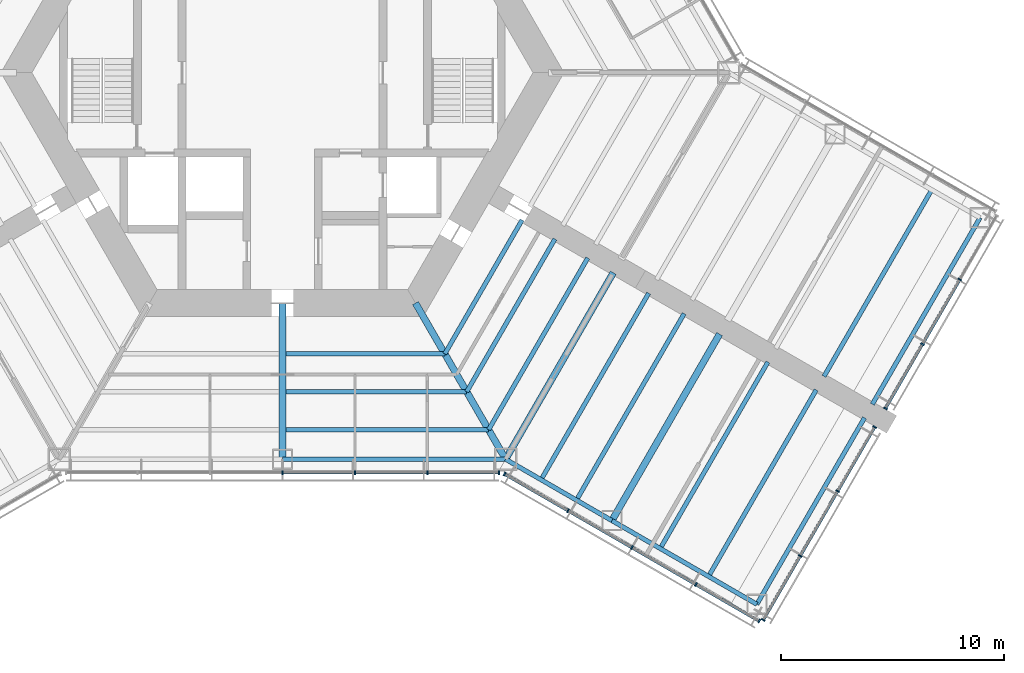
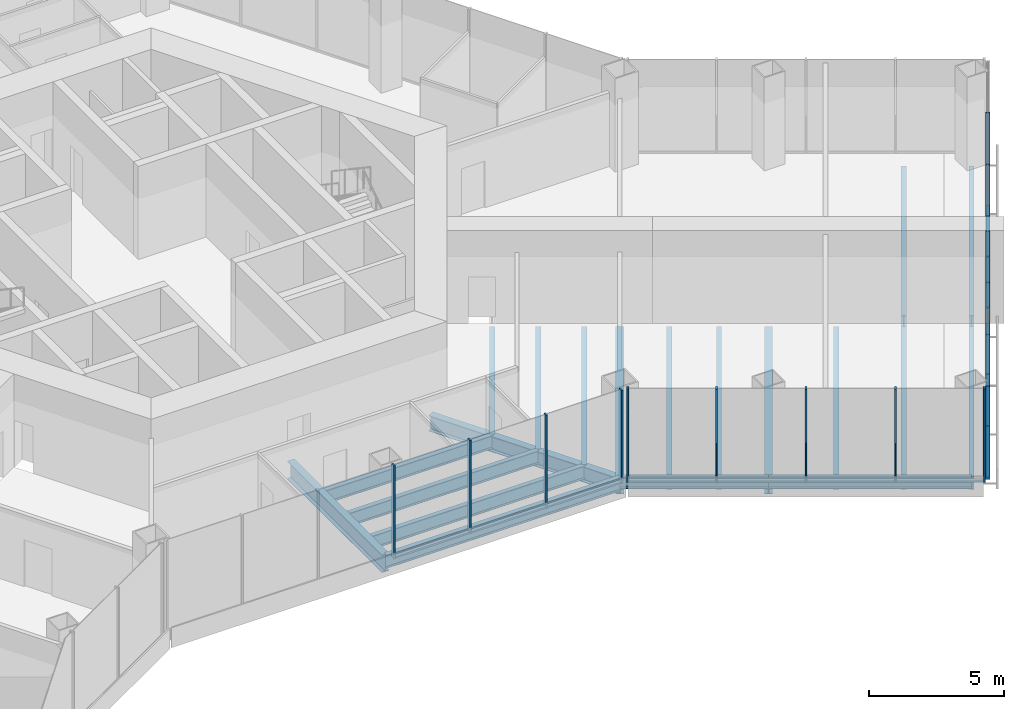
# One storey, part 4 of 16: 28 members, 20 beams, 4 elements without a shape of their own.
"""IFC4 building model written with IfcOpenShell, lengths in metres."""

from ifc_helpers import new_model, si_unit, direction, frame, origin, origin_2d, place, context, subcontext, project, spatial, rectangle, i_section, extrude, material, material_profile, profile_set, type_object, element, aggregate, save


model = new_model("IFC4")

# Units and contexts
model_context = context("Model", 3, precision=1e-05, world=origin(), true_north=direction((0.0, 1.0)))
body_context = subcontext(model_context, "Body", "Model", "MODEL_VIEW")
ifc_project = project(units=[si_unit("LENGTHUNIT", "METRE"), si_unit("AREAUNIT", "SQUARE_METRE"), si_unit("VOLUMEUNIT", "CUBIC_METRE"), si_unit("PLANEANGLEUNIT", "RADIAN"), si_unit("MASSUNIT", "GRAM", prefix="KILO")], contexts=[model_context])

# Site, building, storey
site_placement = place(None, origin())
site = spatial("IfcSite", under=ifc_project, at=site_placement, CompositionType="ELEMENT")
building_placement = place(site_placement, origin())
building = spatial("IfcBuilding", under=site, at=building_placement, Name="Kasaneha Research Tower", CompositionType="ELEMENT")
storey_placement = place(building_placement, frame((0.0, 0.0, 26.800048828125)))
storey = spatial("IfcBuildingStorey", under=building, at=storey_placement, Name="L07", CompositionType="ELEMENT", Elevation=26.800048828125)

# Beams
ifc_material_1 = material(Name="Steel SN490B", Category="steel")
ifc_material_profile_1 = material_profile(ifc_material_1, i_section(OverallWidth=0.199951171875, OverallDepth=0.60009765625, WebThickness=0.010986328125, FlangeThickness=0.01708984375, FilletRadius=0.012939453125, at=origin_2d()), Name="H-600x200x11x17")
ifc_profile_set_1 = profile_set([ifc_material_profile_1], Name="Steel SN490B")
beam_type_1 = type_object("IfcBeamType", Name="B1-1 secondary beam H-600x200x11x17", PredefinedType="JOIST", material=ifc_profile_set_1)
beam_1_placement = place(storey_placement, frame((7.274658203125, -12.60009765625, -0.5), z_axis=(-1.0, 0.0, 0.0), x_axis=(0.0, -1.0, 0.0)))
element("IfcBeam", 1, at=beam_1_placement, inside=storey, type_object=beam_type_1, Name="Secondary beam RS270R1 L07", PredefinedType="JOIST", context=body_context, shape_type="SweptSolid", body=[
    extrude(i_section(OverallWidth=0.199951171875, OverallDepth=0.60009765625, WebThickness=0.010986328125, FlangeThickness=0.01708984375, FilletRadius=0.012939453125, at=origin_2d()), origin(), (0.0, 0.0, 1.0), 7.124755859375),
])
beam_2_placement = place(storey_placement, frame((8.256103515625, -14.300048828125, -0.5), z_axis=(-1.0, 0.0, 0.0), x_axis=(0.0, -1.0, 0.0)))
element("IfcBeam", 2, at=beam_2_placement, inside=storey, type_object=beam_type_1, Name="Secondary beam RS270R2 L07", PredefinedType="JOIST", context=body_context, shape_type="SweptSolid", body=[
    extrude(i_section(OverallWidth=0.199951171875, OverallDepth=0.60009765625, WebThickness=0.010986328125, FlangeThickness=0.01708984375, FilletRadius=0.012939453125, at=origin_2d()), origin(), (0.0, 0.0, 1.0), 8.106201171875),
])
beam_3_placement = place(storey_placement, frame((9.237548828125, -16.0, -0.5), z_axis=(-1.0, 0.0, 0.0), x_axis=(0.0, -1.0, 0.0)))
element("IfcBeam", 3, at=beam_3_placement, inside=storey, type_object=beam_type_1, Name="Secondary beam RS270R3 L07", PredefinedType="JOIST", context=body_context, shape_type="SweptSolid", body=[
    extrude(i_section(OverallWidth=0.199951171875, OverallDepth=0.60009765625, WebThickness=0.010986328125, FlangeThickness=0.01708984375, FilletRadius=0.012939453125, at=origin_2d()), origin(), (0.0, 0.0, 1.0), 9.087646484375),
])
beam_4_placement = place(storey_placement, frame((7.274658203125, -12.60009765625, -0.5), z_axis=(0.499972710878, 0.866041158593, 0.0), x_axis=(-0.866041158593, 0.499972710878, 0.0)))
element("IfcBeam", 4, at=beam_4_placement, inside=storey, type_object=beam_type_1, Name="Secondary beam RS330L1 L07", PredefinedType="JOIST", context=body_context, shape_type="SweptSolid", body=[
    extrude(i_section(OverallWidth=0.199951171875, OverallDepth=0.60009765625, WebThickness=0.010986328125, FlangeThickness=0.01708984375, FilletRadius=0.012939453125, at=origin_2d()), origin(), (0.0, 0.0, 1.0), 6.9248046875),
])
beam_5_placement = place(storey_placement, frame((8.256103515625, -14.300048828125, -0.5), z_axis=(0.500004902938, 0.866022573054, 0.0), x_axis=(-0.866022573054, 0.500004902938, 0.0)))
element("IfcBeam", 5, at=beam_5_placement, inside=storey, type_object=beam_type_1, Name="Secondary beam RS330L2 L07", PredefinedType="JOIST", context=body_context, shape_type="SweptSolid", body=[
    extrude(i_section(OverallWidth=0.199951171875, OverallDepth=0.60009765625, WebThickness=0.010986328125, FlangeThickness=0.01708984375, FilletRadius=0.012939453125, at=origin_2d()), origin(), (0.0, 0.0, 1.0), 7.90625),
])
beam_6_placement = place(storey_placement, frame((9.237548828125, -16.0, -0.5), z_axis=(0.500009382636, 0.866019986649, 0.0), x_axis=(-0.866019986649, 0.500009382636, 0.0)))
element("IfcBeam", 6, at=beam_6_placement, inside=storey, type_object=beam_type_1, Name="Secondary beam RS330L3 L07", PredefinedType="JOIST", context=body_context, shape_type="SweptSolid", body=[
    extrude(i_section(OverallWidth=0.199951171875, OverallDepth=0.60009765625, WebThickness=0.010986328125, FlangeThickness=0.01708984375, FilletRadius=0.012939453125, at=origin_2d()), origin(), (0.0, 0.0, 1.0), 8.887451171875),
])
ifc_material_2 = material(Name="Steel SN490B", Category="steel")
ifc_material_profile_2 = material_profile(ifc_material_2, i_section(OverallWidth=0.198974609375, OverallDepth=0.595947265625, WebThickness=0.010009765625, FlangeThickness=0.014892578125, FilletRadius=0.012939453125, at=origin_2d()), Name="H-596x199x10x15")
ifc_profile_set_2 = profile_set([ifc_material_profile_2], Name="Steel SN490B")
beam_type_2 = type_object("IfcBeamType", Name="B2-1 secondary beam H-596x199x10x15", PredefinedType="JOIST", material=ifc_profile_set_2)
for number, where, z_axis, x_axis, name in (
    (7, (11.587646484375, -18.237060546875, -0.498046875), (0.50000569793, 0.866022114058, 0.0), (-0.866022114058, 0.50000569793, 0.0), "Secondary beam WBCP1 L07"),
    (8, (13.175537109375, -19.15380859375, -0.498046875), (0.499994742786, 0.866028439017, 0.0), (-0.866028439017, 0.499994742786, 0.0), "Secondary beam WBCP2 L07"),
    (9, (16.92822265625, -21.320556640625, -0.498046875), (0.499994742786, 0.866028439017, 0.0), (-0.866028439017, 0.499994742786, 0.0), "Secondary beam WBCP3 L07"),
    (10, (19.09326171875, -22.570556640625, -0.498046875), (0.499994742786, 0.866028439017, 0.0), (-0.866028439017, 0.499994742786, 0.0), "Secondary beam WBCP4 L07"),
    (11, (29.09326171875, -5.25, -0.498046875), (-0.499994742786, -0.866028439017, 0.0), (0.866028439017, -0.499994742786, 0.0), "Secondary beam WBCN4 L07"),
):
    element("IfcBeam", number, at=place(storey_placement, frame(where, z_axis=z_axis, x_axis=x_axis)), inside=storey, type_object=beam_type_2, Name=name, PredefinedType="JOIST", context=body_context, shape_type="SweptSolid", body=[
        extrude(i_section(OverallWidth=0.198974609375, OverallDepth=0.595947265625, WebThickness=0.010009765625, FlangeThickness=0.014892578125, FilletRadius=0.012939453125, at=origin_2d()), origin(), (0.0, 0.0, 1.0), 9.64990234375),
    ])

# Curtain wall, members
ifc_material_3 = material(Name="Glass and aluminium", Category="aluminium")
curtain_wall_type = type_object("IfcCurtainWallType", Name="Wet laboratory curtain wall", PredefinedType="USERDEFINED", material=ifc_material_3)
curtain_wall_1_placement = place(storey_placement, origin())
curtain_wall_1 = element("IfcCurtainWall", 12, at=curtain_wall_1_placement, inside=storey, type_object=curtain_wall_type, Name="CW-L1 L07 run 02a", ObjectType="UNITISED CURTAIN WALL", PredefinedType="USERDEFINED")
ifc_material_4 = material(Name="Aluminium 6063-T6", Category="aluminium")
ifc_material_profile_3 = material_profile(ifc_material_4, rectangle(XDim=0.06494140625, YDim=0.179931640625, at=origin_2d()), Name="CW-L1 mullion 65x180")
ifc_profile_set_3 = profile_set([ifc_material_profile_3], Name="Aluminium 6063-T6")
member_type_1 = type_object("IfcMemberType", Name="CW-L1 mullion", PredefinedType="MULLION", material=ifc_profile_set_3)
member_1_placement = place(storey_placement, frame((0.0, -17.92041015625, 0.0), z_axis=(0.0, 0.0, 1.0), x_axis=(1.0, 0.0, 0.0)))
member_1 = element("IfcMember", 13, at=member_1_placement, type_object=member_type_1, Name="CW-L1 mullion 4", PredefinedType="MULLION", context=body_context, shape_type="SweptSolid", body=[
    extrude(rectangle(XDim=0.06494140625, YDim=0.179931640625, at=origin_2d()), origin(), (0.0, 0.0, 1.0), 4.199951171875),
])
member_2_placement = place(storey_placement, frame((3.246337890625, -17.92041015625, 0.0), z_axis=(0.0, 0.0, 1.0), x_axis=(1.0, 0.0, 0.0)))
member_2 = element("IfcMember", 14, at=member_2_placement, type_object=member_type_1, Name="CW-L1 mullion 5", PredefinedType="MULLION", context=body_context, shape_type="SweptSolid", body=[
    extrude(rectangle(XDim=0.06494140625, YDim=0.179931640625, at=origin_2d()), origin(), (0.0, 0.0, 1.0), 4.199951171875),
])
member_3_placement = place(storey_placement, frame((6.492919921875, -17.92041015625, 0.0), z_axis=(0.0, 0.0, 1.0), x_axis=(1.0, 0.0, 0.0)))
member_3 = element("IfcMember", 15, at=member_3_placement, type_object=member_type_1, Name="CW-L1 mullion 6", PredefinedType="MULLION", context=body_context, shape_type="SweptSolid", body=[
    extrude(rectangle(XDim=0.06494140625, YDim=0.179931640625, at=origin_2d()), origin(), (0.0, 0.0, 1.0), 4.199951171875),
])
member_4_placement = place(storey_placement, frame((9.706787109375, -17.92041015625, 0.0), z_axis=(0.0, 0.0, 1.0), x_axis=(1.0, 0.0, 0.0)))
member_4 = element("IfcMember", 16, at=member_4_placement, type_object=member_type_1, Name="CW-L1 mullion 7", PredefinedType="MULLION", context=body_context, shape_type="SweptSolid", body=[
    extrude(rectangle(XDim=0.06494140625, YDim=0.179931640625, at=origin_2d()), origin(), (0.0, 0.0, 1.0), 4.199951171875),
])

curtain_wall_2_placement = place(storey_placement, origin())
curtain_wall_2 = element("IfcCurtainWall", 17, at=curtain_wall_2_placement, inside=storey, type_object=curtain_wall_type, Name="CW-L1 L07 run 03a", ObjectType="UNITISED CURTAIN WALL", PredefinedType="USERDEFINED")
member_5_placement = place(storey_placement, frame((9.953857421875, -17.98681640625, 0.0), z_axis=(0.0, 0.0, 1.0), x_axis=(0.866025411464, -0.499999986699, 0.0)))
member_5 = element("IfcMember", 18, at=member_5_placement, type_object=member_type_1, Name="CW-L1 mullion 1", PredefinedType="MULLION", context=body_context, shape_type="SweptSolid", body=[
    extrude(rectangle(XDim=0.06494140625, YDim=0.179931640625, at=origin_2d()), origin(), (0.0, 0.0, 1.0), 4.199951171875),
])
member_6_placement = place(storey_placement, frame((12.792236328125, -19.62548828125, 0.0), z_axis=(0.0, 0.0, 1.0), x_axis=(0.866025411464, -0.499999986699, 0.0)))
member_6 = element("IfcMember", 19, at=member_6_placement, type_object=member_type_1, Name="CW-L1 mullion 2", PredefinedType="MULLION", context=body_context, shape_type="SweptSolid", body=[
    extrude(rectangle(XDim=0.06494140625, YDim=0.179931640625, at=origin_2d()), origin(), (0.0, 0.0, 1.0), 4.199951171875),
])
member_7_placement = place(storey_placement, frame((15.65869140625, -21.2802734375, 0.0), z_axis=(0.0, 0.0, 1.0), x_axis=(0.866025411464, -0.499999986699, 0.0)))
member_7 = element("IfcMember", 20, at=member_7_placement, type_object=member_type_1, Name="CW-L1 mullion 3", PredefinedType="MULLION", context=body_context, shape_type="SweptSolid", body=[
    extrude(rectangle(XDim=0.06494140625, YDim=0.179931640625, at=origin_2d()), origin(), (0.0, 0.0, 1.0), 4.199951171875),
])
member_8_placement = place(storey_placement, frame((18.52490234375, -22.935302734375, 0.0), z_axis=(0.0, 0.0, 1.0), x_axis=(0.866025411464, -0.499999986699, 0.0)))
member_8 = element("IfcMember", 21, at=member_8_placement, type_object=member_type_1, Name="CW-L1 mullion 4", PredefinedType="MULLION", context=body_context, shape_type="SweptSolid", body=[
    extrude(rectangle(XDim=0.06494140625, YDim=0.179931640625, at=origin_2d()), origin(), (0.0, 0.0, 1.0), 4.199951171875),
])
member_9_placement = place(storey_placement, frame((21.36328125, -24.573974609375, 0.0), z_axis=(0.0, 0.0, 1.0), x_axis=(0.866025411464, -0.499999986699, 0.0)))
member_9 = element("IfcMember", 22, at=member_9_placement, type_object=member_type_1, Name="CW-L1 mullion 5", PredefinedType="MULLION", context=body_context, shape_type="SweptSolid", body=[
    extrude(rectangle(XDim=0.06494140625, YDim=0.179931640625, at=origin_2d()), origin(), (0.0, 0.0, 1.0), 4.199951171875),
])

curtain_wall_3_placement = place(storey_placement, origin())
curtain_wall_3 = element("IfcCurtainWall", 23, at=curtain_wall_3_placement, inside=storey, type_object=curtain_wall_type, Name="CW-L1 L07 run 04a", ObjectType="UNITISED CURTAIN WALL", PredefinedType="USERDEFINED")
member_10_placement = place(storey_placement, frame((21.544189453125, -24.525390625, 0.0), z_axis=(0.0, 0.0, 1.0), x_axis=(0.500000011442, 0.866025397178, 0.0)))
member_10 = element("IfcMember", 24, at=member_10_placement, type_object=member_type_1, Name="CW-L1 mullion 1", PredefinedType="MULLION", context=body_context, shape_type="SweptSolid", body=[
    extrude(rectangle(XDim=0.06494140625, YDim=0.179931640625, at=origin_2d()), origin(), (0.0, 0.0, 1.0), 4.199951171875),
])
member_11_placement = place(storey_placement, frame((23.202880859375, -21.65234375, 0.0), z_axis=(0.0, 0.0, 1.0), x_axis=(0.500000011442, 0.866025397178, 0.0)))
member_11 = element("IfcMember", 25, at=member_11_placement, type_object=member_type_1, Name="CW-L1 mullion 2", PredefinedType="MULLION", context=body_context, shape_type="SweptSolid", body=[
    extrude(rectangle(XDim=0.06494140625, YDim=0.179931640625, at=origin_2d()), origin(), (0.0, 0.0, 1.0), 4.199951171875),
])
member_12_placement = place(storey_placement, frame((24.8779296875, -18.751220703125, 0.0), z_axis=(0.0, 0.0, 1.0), x_axis=(0.500000011442, 0.866025397178, 0.0)))
member_12 = element("IfcMember", 26, at=member_12_placement, type_object=member_type_1, Name="CW-L1 mullion 3", PredefinedType="MULLION", context=body_context, shape_type="SweptSolid", body=[
    extrude(rectangle(XDim=0.06494140625, YDim=0.179931640625, at=origin_2d()), origin(), (0.0, 0.0, 1.0), 4.199951171875),
])
member_13_placement = place(storey_placement, frame((26.53662109375, -15.878173828125, 0.0), z_axis=(0.0, 0.0, 1.0), x_axis=(0.500000011442, 0.866025397178, 0.0)))
member_13 = element("IfcMember", 27, at=member_13_placement, type_object=member_type_1, Name="CW-L1 mullion 4", PredefinedType="MULLION", context=body_context, shape_type="SweptSolid", body=[
    extrude(rectangle(XDim=0.06494140625, YDim=0.179931640625, at=origin_2d()), origin(), (0.0, 0.0, 1.0), 4.199951171875),
])

curtain_wall_4_placement = place(storey_placement, origin())
curtain_wall_4 = element("IfcCurtainWall", 28, at=curtain_wall_4_placement, inside=storey, type_object=curtain_wall_type, Name="CW-L1 L07 run 05a", ObjectType="UNITISED CURTAIN WALL", PredefinedType="USERDEFINED")
member_14_placement = place(storey_placement, frame((27.019287109375, -15.04248046875, 0.0), z_axis=(0.0, 0.0, 1.0), x_axis=(0.500000011442, 0.866025397178, 0.0)))
member_14 = element("IfcMember", 29, at=member_14_placement, type_object=member_type_1, Name="CW-L1 mullion 1", PredefinedType="MULLION", context=body_context, shape_type="SweptSolid", body=[
    extrude(rectangle(XDim=0.06494140625, YDim=0.179931640625, at=origin_2d()), origin(), (0.0, 0.0, 1.0), 4.199951171875),
])
member_15_placement = place(storey_placement, frame((28.677978515625, -12.16943359375, 0.0), z_axis=(0.0, 0.0, 1.0), x_axis=(0.500000011442, 0.866025397178, 0.0)))
member_15 = element("IfcMember", 30, at=member_15_placement, type_object=member_type_1, Name="CW-L1 mullion 2", PredefinedType="MULLION", context=body_context, shape_type="SweptSolid", body=[
    extrude(rectangle(XDim=0.06494140625, YDim=0.179931640625, at=origin_2d()), origin(), (0.0, 0.0, 1.0), 4.199951171875),
])
member_16_placement = place(storey_placement, frame((30.35302734375, -9.26806640625, 0.0), z_axis=(0.0, 0.0, 1.0), x_axis=(0.500000011442, 0.866025397178, 0.0)))
member_16 = element("IfcMember", 31, at=member_16_placement, type_object=member_type_1, Name="CW-L1 mullion 3", PredefinedType="MULLION", context=body_context, shape_type="SweptSolid", body=[
    extrude(rectangle(XDim=0.06494140625, YDim=0.179931640625, at=origin_2d()), origin(), (0.0, 0.0, 1.0), 4.199951171875),
])

# Member
ifc_material_5 = material(Name="Aluminium 6063-T6", Category="aluminium")
ifc_material_profile_4 = material_profile(ifc_material_5, rectangle(XDim=0.139892578125, YDim=0.06494140625, at=origin_2d()), Name="CW-L1 transom 140x65")
ifc_profile_set_4 = profile_set([ifc_material_profile_4], Name="Aluminium 6063-T6")
member_type_2 = type_object("IfcMemberType", Name="CW-L1 transom", PredefinedType="USERDEFINED", material=ifc_profile_set_4)
member_17_placement = place(storey_placement, frame((0.032470703125, -17.92041015625, 0.032470703125), z_axis=(1.0, 0.0, 0.0), x_axis=(0.0, 1.0, 0.0)))
member_17 = element("IfcMember", 32, at=member_17_placement, type_object=member_type_2, Name="CW-L1 transom 4", ObjectType="TRANSOM", PredefinedType="USERDEFINED", context=body_context, shape_type="SweptSolid", body=[
    extrude(rectangle(XDim=0.139892578125, YDim=0.06494140625, at=origin_2d()), origin(), (0.0, 0.0, 1.0), 3.181396484375),
])

member_18_placement = place(storey_placement, frame((3.27880859375, -17.92041015625, 0.032470703125), z_axis=(1.0, 0.0, 0.0), x_axis=(0.0, 1.0, 0.0)))
member_18 = element("IfcMember", 33, at=member_18_placement, type_object=member_type_2, Name="CW-L1 transom 5", ObjectType="TRANSOM", PredefinedType="USERDEFINED", context=body_context, shape_type="SweptSolid", body=[
    extrude(rectangle(XDim=0.139892578125, YDim=0.06494140625, at=origin_2d()), origin(), (0.0, 0.0, 1.0), 3.181396484375),
])

member_19_placement = place(storey_placement, frame((6.525390625, -17.92041015625, 0.032470703125), z_axis=(1.0, 0.0, 0.0), x_axis=(0.0, 1.0, 0.0)))
member_19 = element("IfcMember", 34, at=member_19_placement, type_object=member_type_2, Name="CW-L1 transom 6", ObjectType="TRANSOM", PredefinedType="USERDEFINED", context=body_context, shape_type="SweptSolid", body=[
    extrude(rectangle(XDim=0.139892578125, YDim=0.06494140625, at=origin_2d()), origin(), (0.0, 0.0, 1.0), 3.14892578125),
])

aggregate(curtain_wall_1, [member_1, member_2, member_3, member_4, member_17, member_18, member_19])

member_20_placement = place(storey_placement, frame((9.982177734375, -18.0029296875, 0.032470703125), z_axis=(0.866022320763, -0.500005339912, 0.0), x_axis=(0.500005339912, 0.866022320763, 0.0)))
member_20 = element("IfcMember", 35, at=member_20_placement, type_object=member_type_2, Name="CW-L1 transom 1", ObjectType="TRANSOM", PredefinedType="USERDEFINED", context=body_context, shape_type="SweptSolid", body=[
    extrude(rectangle(XDim=0.139892578125, YDim=0.06494140625, at=origin_2d()), origin(), (0.0, 0.0, 1.0), 3.21240234375),
])

member_21_placement = place(storey_placement, frame((12.8203125, -19.6416015625, 0.032470703125), z_axis=(0.866002649306, -0.500039409842, 0.0), x_axis=(0.500039409842, 0.866002649306, 0.0)))
member_21 = element("IfcMember", 36, at=member_21_placement, type_object=member_type_2, Name="CW-L1 transom 2", ObjectType="TRANSOM", PredefinedType="USERDEFINED", context=body_context, shape_type="SweptSolid", body=[
    extrude(rectangle(XDim=0.139892578125, YDim=0.06494140625, at=origin_2d()), origin(), (0.0, 0.0, 1.0), 3.244873046875),
])

member_22_placement = place(storey_placement, frame((15.686767578125, -21.296630859375, 0.032470703125), z_axis=(0.866035229914, -0.499982980259, 0.0), x_axis=(0.499982980259, 0.866035229914, 0.0)))
member_22 = element("IfcMember", 37, at=member_22_placement, type_object=member_type_2, Name="CW-L1 transom 3", ObjectType="TRANSOM", PredefinedType="USERDEFINED", context=body_context, shape_type="SweptSolid", body=[
    extrude(rectangle(XDim=0.139892578125, YDim=0.06494140625, at=origin_2d()), origin(), (0.0, 0.0, 1.0), 3.24462890625),
])

member_23_placement = place(storey_placement, frame((18.55322265625, -22.951416015625, 0.032470703125), z_axis=(0.86600331843, -0.500038251005, 0.0), x_axis=(0.500038251005, 0.86600331843, 0.0)))
member_23 = element("IfcMember", 38, at=member_23_placement, type_object=member_type_2, Name="CW-L1 transom 4", ObjectType="TRANSOM", PredefinedType="USERDEFINED", context=body_context, shape_type="SweptSolid", body=[
    extrude(rectangle(XDim=0.139892578125, YDim=0.06494140625, at=origin_2d()), origin(), (0.0, 0.0, 1.0), 3.212158203125),
])

aggregate(curtain_wall_2, [member_5, member_6, member_7, member_8, member_9, member_20, member_21, member_22, member_23])

member_24_placement = place(storey_placement, frame((21.560546875, -24.497314453125, 0.032470703125), z_axis=(0.499973687205, 0.866040594951, 0.0), x_axis=(-0.866040594951, 0.499973687205, 0.0)))
member_24 = element("IfcMember", 39, at=member_24_placement, type_object=member_type_2, Name="CW-L1 transom 1", ObjectType="TRANSOM", PredefinedType="USERDEFINED", context=body_context, shape_type="SweptSolid", body=[
    extrude(rectangle(XDim=0.139892578125, YDim=0.06494140625, at=origin_2d()), origin(), (0.0, 0.0, 1.0), 3.252685546875),
])

member_25_placement = place(storey_placement, frame((23.21923828125, -21.624267578125, 0.032470703125), z_axis=(0.50000765355, 0.86602098496, 0.0), x_axis=(-0.86602098496, 0.50000765355, 0.0)))
member_25 = element("IfcMember", 40, at=member_25_placement, type_object=member_type_2, Name="CW-L1 transom 2", ObjectType="TRANSOM", PredefinedType="USERDEFINED", context=body_context, shape_type="SweptSolid", body=[
    extrude(rectangle(XDim=0.139892578125, YDim=0.06494140625, at=origin_2d()), origin(), (0.0, 0.0, 1.0), 3.28515625),
])

member_26_placement = place(storey_placement, frame((24.894287109375, -18.722900390625, 0.032470703125), z_axis=(0.500006189695, 0.866021830133, 0.0), x_axis=(-0.866021830133, 0.500006189695, 0.0)))
member_26 = element("IfcMember", 41, at=member_26_placement, type_object=member_type_2, Name="CW-L1 transom 3", ObjectType="TRANSOM", PredefinedType="USERDEFINED", context=body_context, shape_type="SweptSolid", body=[
    extrude(rectangle(XDim=0.139892578125, YDim=0.06494140625, at=origin_2d()), origin(), (0.0, 0.0, 1.0), 3.25244140625),
])

aggregate(curtain_wall_3, [member_10, member_11, member_12, member_13, member_24, member_25, member_26])

member_27_placement = place(storey_placement, frame((27.035400390625, -15.01416015625, 0.032470703125), z_axis=(0.500006189695, 0.866021830133, 0.0), x_axis=(-0.866021830133, 0.500006189695, 0.0)))
member_27 = element("IfcMember", 42, at=member_27_placement, type_object=member_type_2, Name="CW-L1 transom 1", ObjectType="TRANSOM", PredefinedType="USERDEFINED", context=body_context, shape_type="SweptSolid", body=[
    extrude(rectangle(XDim=0.139892578125, YDim=0.06494140625, at=origin_2d()), origin(), (0.0, 0.0, 1.0), 3.25244140625),
])

member_28_placement = place(storey_placement, frame((28.694091796875, -12.14111328125, 0.032470703125), z_axis=(0.500039835994, 0.866002403241, 0.0), x_axis=(-0.866002403241, 0.500039835994, 0.0)))
member_28 = element("IfcMember", 43, at=member_28_placement, type_object=member_type_2, Name="CW-L1 transom 2", ObjectType="TRANSOM", PredefinedType="USERDEFINED", context=body_context, shape_type="SweptSolid", body=[
    extrude(rectangle(XDim=0.139892578125, YDim=0.06494140625, at=origin_2d()), origin(), (0.0, 0.0, 1.0), 3.284912109375),
])

aggregate(curtain_wall_4, [member_14, member_15, member_16, member_27, member_28])

# Beams
ifc_material_6 = material(Name="Steel SN490B", Category="steel")
ifc_material_profile_5 = material_profile(ifc_material_6, i_section(OverallWidth=0.300048828125, OverallDepth=0.699951171875, WebThickness=0.012939453125, FlangeThickness=0.02392578125, FilletRadius=0.01806640625, at=origin_2d()), Name="H-700x300x13x24")
ifc_profile_set_5 = profile_set([ifc_material_profile_5], Name="Steel SN490B")
beam_type_3 = type_object("IfcBeamType", Name="G1-1 radial girder H-700x300x13x24", PredefinedType="BEAM", material=ifc_profile_set_5)
beam_7_placement = place(storey_placement, frame((5.961181640625, -10.324951171875, -0.550048828125), z_axis=(0.49999105496, -0.866030568144, 0.0), x_axis=(0.866030568144, 0.49999105496, 0.0)))
element("IfcBeam", 44, at=beam_7_placement, inside=storey, type_object=beam_type_3, Name="Radial girder RV300 L07", PredefinedType="BEAM", context=body_context, shape_type="SweptSolid", body=[
    extrude(i_section(OverallWidth=0.300048828125, OverallDepth=0.699951171875, WebThickness=0.012939453125, FlangeThickness=0.02392578125, FilletRadius=0.01806640625, at=origin_2d()), origin(), (0.0, 0.0, 1.0), 8.077880859375),
])
ifc_material_7 = material(Name="Steel SN490B", Category="steel")
ifc_material_profile_6 = material_profile(ifc_material_7, i_section(OverallWidth=0.300048828125, OverallDepth=0.800048828125, WebThickness=0.013916015625, FlangeThickness=0.02587890625, FilletRadius=0.01806640625, at=origin_2d()), Name="H-800x300x14x26")
ifc_profile_set_6 = profile_set([ifc_material_profile_6], Name="Steel SN490B")
beam_type_4 = type_object("IfcBeamType", Name="G2-1 radial girder H-800x300x14x26", PredefinedType="BEAM", material=ifc_profile_set_6)
beam_8_placement = place(storey_placement, frame((0.0, -10.324951171875, -0.60009765625), z_axis=(0.0, -1.0, 0.0), x_axis=(1.0, 0.0, 0.0)))
element("IfcBeam", 45, at=beam_8_placement, inside=storey, type_object=beam_type_4, Name="Radial girder RM270 L07", PredefinedType="BEAM", context=body_context, shape_type="SweptSolid", body=[
    extrude(i_section(OverallWidth=0.300048828125, OverallDepth=0.800048828125, WebThickness=0.013916015625, FlangeThickness=0.02587890625, FilletRadius=0.01806640625, at=origin_2d()), origin(), (0.0, 0.0, 1.0), 6.99560546875),
])
ifc_material_8 = material(Name="Steel SN490B", Category="steel")
ifc_material_profile_7 = material_profile(ifc_material_8, i_section(OverallWidth=0.300048828125, OverallDepth=0.7919921875, WebThickness=0.013916015625, FlangeThickness=0.02197265625, FilletRadius=0.01806640625, at=origin_2d()), Name="H-792x300x14x22")
ifc_profile_set_7 = profile_set([ifc_material_profile_7], Name="Steel SN490B")
beam_type_5 = type_object("IfcBeamType", Name="G3-1 plate edge girder H-792x300x14x22", PredefinedType="BEAM", material=ifc_profile_set_7)
beam_9_placement = place(storey_placement, frame((10.0, -17.320556640625, -0.595947265625), z_axis=(0.499994742786, 0.866028439017, 0.0), x_axis=(-0.866028439017, 0.499994742786, 0.0)))
element("IfcBeam", 46, at=beam_9_placement, inside=storey, type_object=beam_type_5, Name="Plate edge girder PECP L07", PredefinedType="BEAM", context=body_context, shape_type="SweptSolid", body=[
    extrude(i_section(OverallWidth=0.300048828125, OverallDepth=0.7919921875, WebThickness=0.013916015625, FlangeThickness=0.02197265625, FilletRadius=0.01806640625, at=origin_2d()), origin(), (0.0, 0.0, 1.0), 9.64990234375),
])
ifc_material_9 = material(Name="Steel SN490B", Category="steel")
ifc_material_profile_8 = material_profile(ifc_material_9, i_section(OverallWidth=0.300048828125, OverallDepth=0.800048828125, WebThickness=0.013916015625, FlangeThickness=0.02587890625, FilletRadius=0.01806640625, at=origin_2d()), Name="H-800x300x14x26")
ifc_profile_set_8 = profile_set([ifc_material_profile_8], Name="Steel SN490B")
beam_type_6 = type_object("IfcBeamType", Name="G4-1 wing girder H-800x300x14x26", PredefinedType="BEAM", material=ifc_profile_set_8)
beam_10_placement = place(storey_placement, frame((14.76318359375, -20.070556640625, -0.60009765625), z_axis=(0.499994742786, 0.866028439017, 0.0), x_axis=(-0.866028439017, 0.499994742786, 0.0)))
element("IfcBeam", 47, at=beam_10_placement, inside=storey, type_object=beam_type_6, Name="Wing girder WGCP L07", PredefinedType="BEAM", context=body_context, shape_type="SweptSolid", body=[
    extrude(i_section(OverallWidth=0.300048828125, OverallDepth=0.800048828125, WebThickness=0.013916015625, FlangeThickness=0.02587890625, FilletRadius=0.01806640625, at=origin_2d()), origin(), (0.0, 0.0, 1.0), 9.64990234375),
])
ifc_material_10 = material(Name="Steel SN490B", Category="steel")
ifc_material_profile_9 = material_profile(ifc_material_10, i_section(OverallWidth=0.199951171875, OverallDepth=0.60009765625, WebThickness=0.010986328125, FlangeThickness=0.01708984375, FilletRadius=0.012939453125, at=origin_2d()), Name="H-600x200x11x17")
ifc_profile_set_9 = profile_set([ifc_material_profile_9], Name="Steel SN490B")
beam_type_7 = type_object("IfcBeamType", Name="SB1-1 spandrel beam H-600x200x11x17", PredefinedType="SPANDREL", material=ifc_profile_set_9)
beam_11_placement = place(storey_placement, frame((10.0, -17.320556640625, -0.5), z_axis=(-1.0, 0.0, 0.0), x_axis=(0.0, -1.0, 0.0)))
element("IfcBeam", 48, at=beam_11_placement, inside=storey, type_object=beam_type_7, Name="Spandrel beam SR270R L07", PredefinedType="SPANDREL", context=body_context, shape_type="SweptSolid", body=[
    extrude(i_section(OverallWidth=0.199951171875, OverallDepth=0.60009765625, WebThickness=0.010986328125, FlangeThickness=0.01708984375, FilletRadius=0.012939453125, at=origin_2d()), origin(), (0.0, 0.0, 1.0), 10.0),
])
ifc_material_11 = material(Name="Steel SN490B", Category="steel")
ifc_material_profile_10 = material_profile(ifc_material_11, i_section(OverallWidth=0.199951171875, OverallDepth=0.5, WebThickness=0.010009765625, FlangeThickness=0.01611328125, FilletRadius=0.012939453125, at=origin_2d()), Name="H-500x200x10x16")
ifc_profile_set_10 = profile_set([ifc_material_profile_10], Name="Steel SN490B")
beam_type_8 = type_object("IfcBeamType", Name="SB2-1 spandrel beam H-500x200x10x16", PredefinedType="SPANDREL", material=ifc_profile_set_10)
beam_12_placement = place(storey_placement, frame((10.0, -17.320556640625, -0.449951171875), z_axis=(0.866027397988, -0.499996545922, 0.0), x_axis=(0.499996545922, 0.866027397988, 0.0)))
element("IfcBeam", 49, at=beam_12_placement, inside=storey, type_object=beam_type_8, Name="Spandrel beam WSCP1 L07", PredefinedType="SPANDREL", context=body_context, shape_type="SweptSolid", body=[
    extrude(i_section(OverallWidth=0.199951171875, OverallDepth=0.5, WebThickness=0.010009765625, FlangeThickness=0.01611328125, FilletRadius=0.012939453125, at=origin_2d()), origin(), (0.0, 0.0, 1.0), 5.5),
])
beam_13_placement = place(storey_placement, frame((14.76318359375, -20.070556640625, -0.449951171875), z_axis=(0.866022959057, -0.500004234368, 0.0), x_axis=(0.500004234368, 0.866022959057, 0.0)))
element("IfcBeam", 50, at=beam_13_placement, inside=storey, type_object=beam_type_8, Name="Spandrel beam WSCP2 L07", PredefinedType="SPANDREL", context=body_context, shape_type="SweptSolid", body=[
    extrude(i_section(OverallWidth=0.199951171875, OverallDepth=0.5, WebThickness=0.010009765625, FlangeThickness=0.01611328125, FilletRadius=0.012939453125, at=origin_2d()), origin(), (0.0, 0.0, 1.0), 7.5),
])
ifc_material_12 = material(Name="Steel SN490B", Category="steel")
ifc_material_profile_11 = material_profile(ifc_material_12, i_section(OverallWidth=0.199951171875, OverallDepth=0.60009765625, WebThickness=0.010986328125, FlangeThickness=0.01708984375, FilletRadius=0.012939453125, at=origin_2d()), Name="H-600x200x11x17")
ifc_profile_set_11 = profile_set([ifc_material_profile_11], Name="Steel SN490B")
beam_type_9 = type_object("IfcBeamType", Name="SB3-1 spandrel beam H-600x200x11x17", PredefinedType="SPANDREL", material=ifc_profile_set_11)
for number, where, z_axis, x_axis, name in (
    (51, (21.25830078125, -23.820556640625, -0.5), (0.499994742786, 0.866028439017, 0.0), (-0.866028439017, 0.499994742786, 0.0), "Spandrel beam WTCP L07"),
    (52, (31.25830078125, -6.5, -0.5), (-0.499994742786, -0.866028439017, 0.0), (0.866028439017, -0.499994742786, 0.0), "Spandrel beam WTCN L07"),
):
    element("IfcBeam", number, at=place(storey_placement, frame(where, z_axis=z_axis, x_axis=x_axis)), inside=storey, type_object=beam_type_9, Name=name, PredefinedType="SPANDREL", context=body_context, shape_type="SweptSolid", body=[
        extrude(i_section(OverallWidth=0.199951171875, OverallDepth=0.60009765625, WebThickness=0.010986328125, FlangeThickness=0.01708984375, FilletRadius=0.012939453125, at=origin_2d()), origin(), (0.0, 0.0, 1.0), 9.64990234375),
    ])

save(model, "model.ifc")
